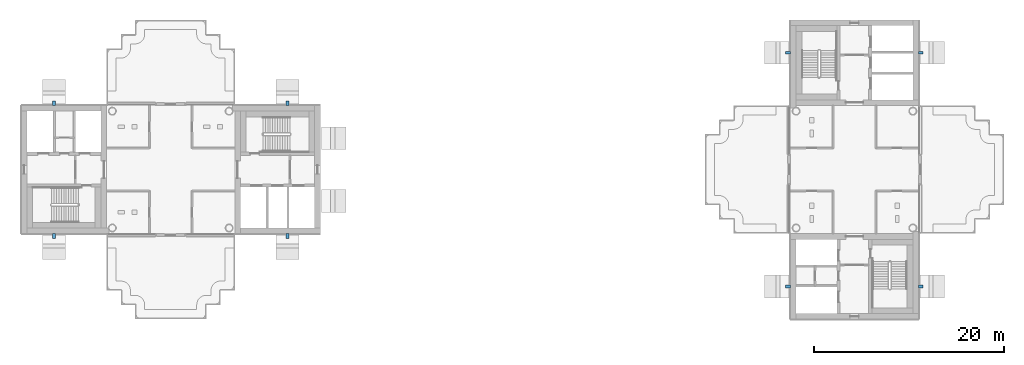
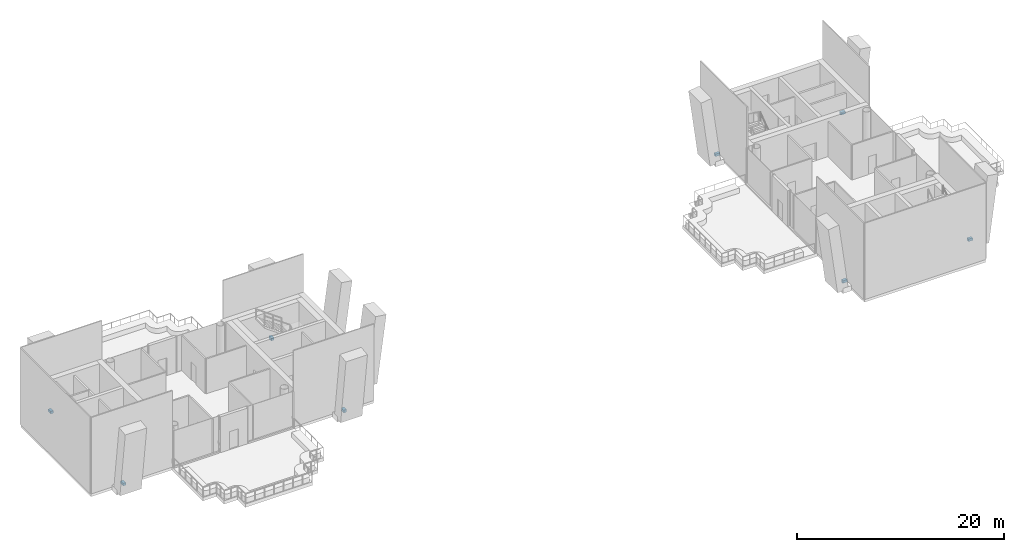
# One storey, part 10 of 17: 8 discrete accessories.
"""IFC4 building model written with IfcOpenShell, lengths in metres."""

from ifc_helpers import new_model, si_unit, direction, frame, origin, origin_2d, place, context, subcontext, project, spatial, rectangle, extrude, material, type_object, element, save


model = new_model("IFC4")

# Units and contexts
model_context = context("Model", 3, precision=1e-05, world=origin(), true_north=direction((0.0, 1.0)))
body_context = subcontext(model_context, "Body", "Model", "MODEL_VIEW")
ifc_project = project(units=[si_unit("LENGTHUNIT", "METRE"), si_unit("AREAUNIT", "SQUARE_METRE"), si_unit("VOLUMEUNIT", "CUBIC_METRE"), si_unit("PLANEANGLEUNIT", "RADIAN"), si_unit("MASSUNIT", "GRAM", prefix="KILO")], contexts=[model_context])

# Site, building, storey
site_placement = place(None, origin())
site = spatial("IfcSite", under=ifc_project, at=site_placement, CompositionType="ELEMENT")
building_placement = place(site_placement, origin())
building = spatial("IfcBuilding", under=site, at=building_placement, Name="Ipe Terrace Towers", CompositionType="ELEMENT")
storey_placement = place(building_placement, frame((0.0, 0.0, 246.89990234375)))
storey = spatial("IfcBuildingStorey", under=building, at=storey_placement, Name="L68", CompositionType="ELEMENT", Elevation=246.89990234375)

# Discrete accessories
ifc_material = material(Name="Stainless steel S316", Category="steel")
discrete_accessory_type = type_object("IfcDiscreteAccessoryType", Name="STONE FIN BRACKET", PredefinedType="BRACKET", material=ifc_material)
for number, where, z_axis, x_axis, name in (
    (1, (-23.699951171875, -6.993896484375, 0.0), (0.0, 0.0, 1.0), (1.0, 0.0, 0.0), "stone fin bracket"),
    (2, (-23.699951171875, 6.993896484375, 0.0), (0.0, 0.0, 1.0), (-1.0, 0.0, 0.0), "stone fin bracket"),
    (3, (-48.300048828125, -6.993896484375, 0.0), (0.0, 0.0, 1.0), (1.0, 0.0, 0.0), "stone fin bracket"),
    (4, (-48.300048828125, 6.993896484375, 0.0), (0.0, 0.0, 1.0), (-1.0, 0.0, 0.0), "stone fin bracket"),
    (5, (29.006103515625, -12.300048828125, 0.0), (0.0, 0.0, 1.0), (0.0, -1.0, 0.0), "stone fin bracket"),
    (6, (29.006103515625, 12.300048828125, 0.0), (0.0, 0.0, 1.0), (0.0, -1.0, 0.0), "stone fin bracket"),
    (7, (42.993896484375, -12.300048828125, 0.0), (0.0, 0.0, 1.0), (0.0, 1.0, 0.0), "stone fin bracket"),
    (8, (42.993896484375, 12.300048828125, 0.0), (0.0, 0.0, 1.0), (0.0, 1.0, 0.0), "stone fin bracket"),
):
    element("IfcDiscreteAccessory", number, at=place(storey_placement, frame(where, z_axis=z_axis, x_axis=x_axis)), inside=storey, type_object=discrete_accessory_type, Name=name, PredefinedType="BRACKET", context=body_context, shape_type="SweptSolid", body=[
        extrude(rectangle(XDim=0.300048828125, YDim=0.48876953125, at=origin_2d()), origin(), (0.0, 0.0, 1.0), 0.300048828125),
    ])

save(model, "model.ifc")
